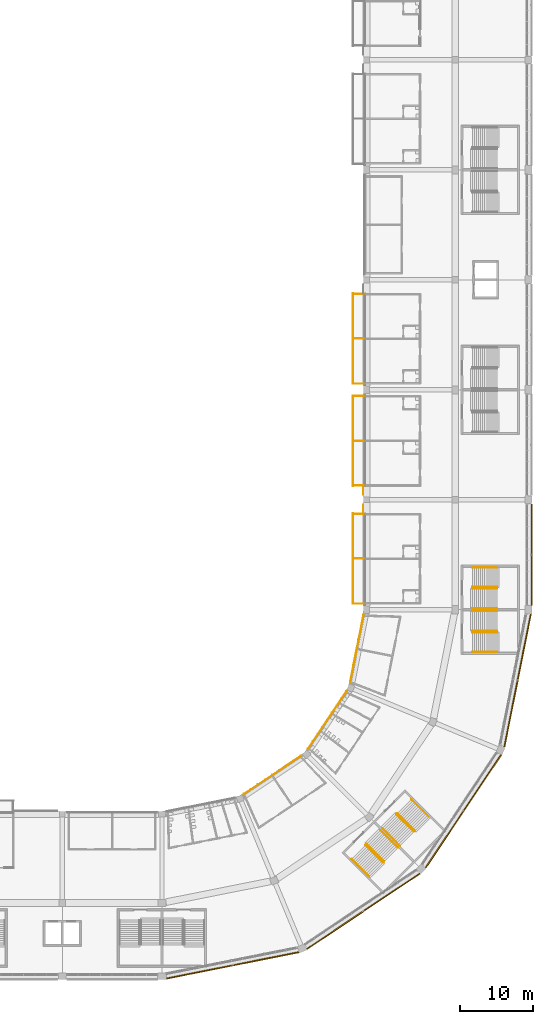
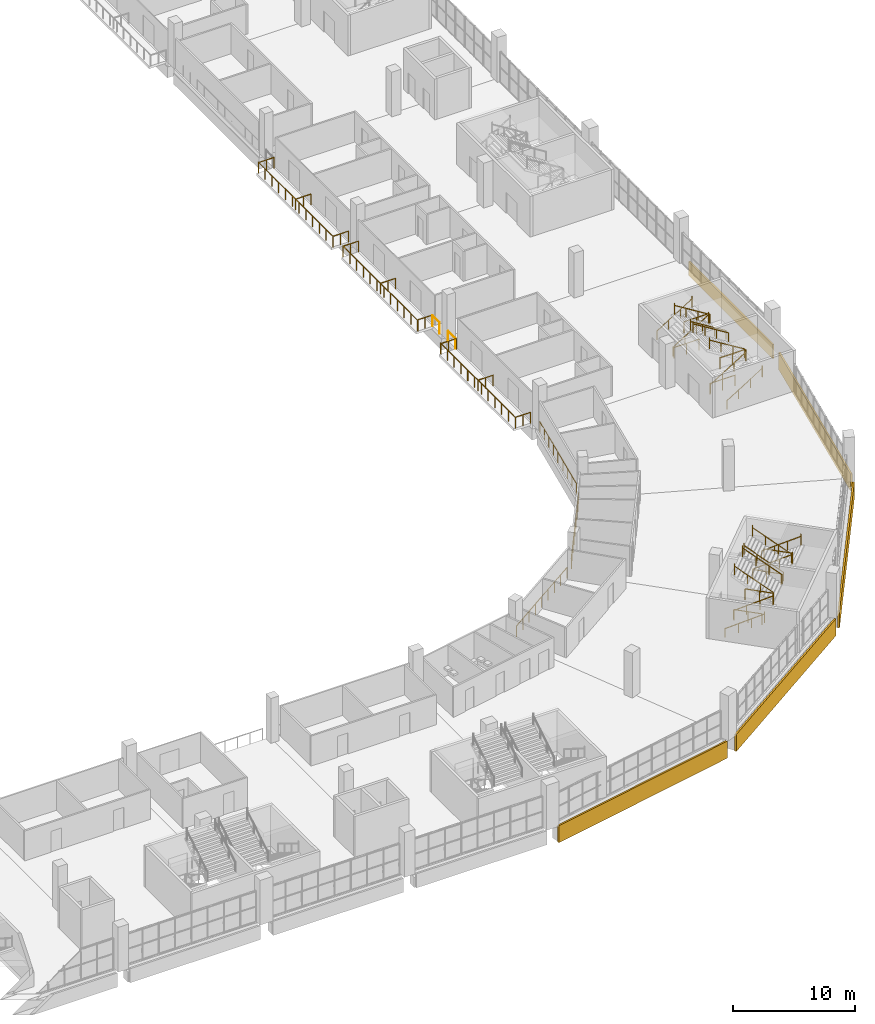
# One storey, part 187 of 199: 41 railings, 5 coverings.
"""IFC4 building model written with IfcOpenShell, lengths in metres."""

from ifc_helpers import new_model, si_unit, direction, frame, origin, origin_2d, place, context, subcontext, project, spatial, polyline, circle, outline, extrude, material, layer, layer_set, type_object, element, save


model = new_model("IFC4")

# Units and contexts
model_context = context("Model", 3, precision=1e-05, world=origin(), true_north=direction((0.0, 1.0)))
body_context = subcontext(model_context, "Body", "Model", "MODEL_VIEW")
ifc_project = project(units=[si_unit("LENGTHUNIT", "METRE"), si_unit("AREAUNIT", "SQUARE_METRE"), si_unit("VOLUMEUNIT", "CUBIC_METRE"), si_unit("PLANEANGLEUNIT", "RADIAN"), si_unit("MASSUNIT", "GRAM", prefix="KILO")], contexts=[model_context])

# Site, building, storey
site_placement = place(None, origin())
site = spatial("IfcSite", under=ifc_project, at=site_placement, CompositionType="ELEMENT")
building_placement = place(site_placement, origin())
building = spatial("IfcBuilding", under=site, at=building_placement, Name="Ogive Plaza Stadium", CompositionType="ELEMENT")
storey_placement = place(building_placement, frame((0.0, 0.0, 9.0)))
storey = spatial("IfcBuildingStorey", under=building, at=storey_placement, Name="L02", CompositionType="ELEMENT", Elevation=9.0)

# Railings
ifc_material_1 = material(Name="Steel ASTM A572 Grade 50", Category="steel")
railing_type_1 = type_object("IfcRailingType", Name="Guard 1100", PredefinedType="GUARDRAIL", material=ifc_material_1)
for number, where, name in (
    (1, (76.35009765625, -55.47509765625, 0.0), "Stair well guard ST08A L02"),
    (2, (77.31005859375, -55.47509765625, 2.25), "Stair well guard ST08A L02"),
    (3, (76.35009765625, -49.52490234375, 0.0), "Stair well guard ST08B L02"),
    (4, (77.31005859375, -49.52490234375, 2.25), "Stair well guard ST08B L02"),
):
    element("IfcRailing", number, at=place(storey_placement, frame(where)), inside=storey, type_object=railing_type_1, Name=name, PredefinedType="GUARDRAIL", context=body_context, shape_type="SweptSolid", body=[
        extrude(circle(Radius=0.02392578125, at=origin_2d()), frame((0.0, 0.0, 1.076171875), z_axis=(1.0, 0.0, 0.0), x_axis=(0.0, 1.0, 0.0)), (0.0, 0.0, 1.0), 2.39990234375),
        extrude(circle(Radius=0.02099609375, at=origin_2d()), origin(), (0.0, 0.0, 1.0), 1.052001953125),
        extrude(circle(Radius=0.02099609375, at=origin_2d()), frame((1.199951171875, 0.0, 0.0)), (0.0, 0.0, 1.0), 1.052001953125),
        extrude(circle(Radius=0.02099609375, at=origin_2d()), frame((2.39990234375, 0.0, 0.0)), (0.0, 0.0, 1.0), 1.052001953125),
    ])
for number, where, name in (
    (5, (61.84228515625, -84.549560546875, 0.0), "Stair well guard ST10A L02"),
    (6, (62.521240234375, -85.228515625, 2.25), "Stair well guard ST10A L02"),
    (7, (66.049560546875, -80.34228515625, 0.0), "Stair well guard ST10B L02"),
    (8, (66.728515625, -81.021240234375, 2.25), "Stair well guard ST10B L02"),
):
    element("IfcRailing", number, at=place(storey_placement, frame(where)), inside=storey, type_object=railing_type_1, Name=name, PredefinedType="GUARDRAIL", context=body_context, shape_type="SweptSolid", body=[
        extrude(circle(Radius=0.02392578125, at=origin_2d()), frame((0.0, 0.0, 1.076171875), z_axis=(0.707106781187, -0.707106781187, 0.0), x_axis=(0.707106781187, 0.707106781187, 0.0)), (0.0, 0.0, 1.0), 2.39990234375),
        extrude(circle(Radius=0.02099609375, at=origin_2d()), origin(), (0.0, 0.0, 1.0), 1.052001953125),
        extrude(circle(Radius=0.02099609375, at=origin_2d()), frame((0.8486328125, -0.8486328125, 0.0)), (0.0, 0.0, 1.0), 1.052001953125),
        extrude(circle(Radius=0.02099609375, at=origin_2d()), frame((1.697021484375, -1.697021484375, 0.0)), (0.0, 0.0, 1.0), 1.052001953125),
    ])
railing_1_placement = place(storey_placement, frame((61.513427734375, -53.1865234375, 0.0)))
element("IfcRailing", 9, at=railing_1_placement, inside=storey, type_object=railing_type_1, Name="Guard L02 B08", PredefinedType="GUARDRAIL", context=body_context, shape_type="SweptSolid", body=[
    extrude(circle(Radius=0.02392578125, at=origin_2d()), frame((0.0, 0.0, 1.076171875), z_axis=(-0.19508584817, -0.980786170296, 0.0), x_axis=(0.980786170296, -0.19508584817, 0.0)), (0.0, 0.0, 1.0), 9.388427734375),
    extrude(circle(Radius=0.02099609375, at=origin_2d()), origin(), (0.0, 0.0, 1.0), 1.052001953125),
    extrude(circle(Radius=0.02099609375, at=origin_2d()), frame((-0.22900390625, -1.15087890625, 0.0)), (0.0, 0.0, 1.0), 1.052001953125),
    extrude(circle(Radius=0.02099609375, at=origin_2d()), frame((-0.4580078125, -2.302001953125, 0.0)), (0.0, 0.0, 1.0), 1.052001953125),
    extrude(circle(Radius=0.02099609375, at=origin_2d()), frame((-0.686767578125, -3.453125, 0.0)), (0.0, 0.0, 1.0), 1.052001953125),
    extrude(circle(Radius=0.02099609375, at=origin_2d()), frame((-0.915771484375, -4.60400390625, 0.0)), (0.0, 0.0, 1.0), 1.052001953125),
    extrude(circle(Radius=0.02099609375, at=origin_2d()), frame((-1.144775390625, -5.7548828125, 0.0)), (0.0, 0.0, 1.0), 1.052001953125),
    extrude(circle(Radius=0.02099609375, at=origin_2d()), frame((-1.37353515625, -6.906005859375, 0.0)), (0.0, 0.0, 1.0), 1.052001953125),
    extrude(circle(Radius=0.02099609375, at=origin_2d()), frame((-1.6025390625, -8.05712890625, 0.0)), (0.0, 0.0, 1.0), 1.052001953125),
    extrude(circle(Radius=0.02099609375, at=origin_2d()), frame((-1.83154296875, -9.2080078125, 0.0)), (0.0, 0.0, 1.0), 1.052001953125),
])
railing_2_placement = place(storey_placement, frame((59.15625, -63.663330078125, 0.0)))
element("IfcRailing", 10, at=railing_2_placement, inside=storey, type_object=railing_type_1, Name="Guard L02 B09", PredefinedType="GUARDRAIL", context=body_context, shape_type="SweptSolid", body=[
    extrude(circle(Radius=0.02392578125, at=origin_2d()), frame((0.0, 0.0, 1.076171875), z_axis=(-0.555564052686, -0.831473741836, 0.0), x_axis=(0.831473741836, -0.555564052686, 0.0)), (0.0, 0.0, 1.0), 9.388427734375),
    extrude(circle(Radius=0.02099609375, at=origin_2d()), origin(), (0.0, 0.0, 1.0), 1.052001953125),
    extrude(circle(Radius=0.02099609375, at=origin_2d()), frame((-0.65185546875, -0.975830078125, 0.0)), (0.0, 0.0, 1.0), 1.052001953125),
    extrude(circle(Radius=0.02099609375, at=origin_2d()), frame((-1.303955078125, -1.95166015625, 0.0)), (0.0, 0.0, 1.0), 1.052001953125),
    extrude(circle(Radius=0.02099609375, at=origin_2d()), frame((-1.9560546875, -2.92724609375, 0.0)), (0.0, 0.0, 1.0), 1.052001953125),
    extrude(circle(Radius=0.02099609375, at=origin_2d()), frame((-2.60791015625, -3.903076171875, 0.0)), (0.0, 0.0, 1.0), 1.052001953125),
    extrude(circle(Radius=0.02099609375, at=origin_2d()), frame((-3.259765625, -4.87890625, 0.0)), (0.0, 0.0, 1.0), 1.052001953125),
    extrude(circle(Radius=0.02099609375, at=origin_2d()), frame((-3.911865234375, -5.8544921875, 0.0)), (0.0, 0.0, 1.0), 1.052001953125),
    extrude(circle(Radius=0.02099609375, at=origin_2d()), frame((-4.56396484375, -6.830322265625, 0.0)), (0.0, 0.0, 1.0), 1.052001953125),
    extrude(circle(Radius=0.02099609375, at=origin_2d()), frame((-5.2158203125, -7.80615234375, 0.0)), (0.0, 0.0, 1.0), 1.052001953125),
])
railing_3_placement = place(storey_placement, frame((52.969482421875, -72.4404296875, 0.0)))
element("IfcRailing", 11, at=railing_3_placement, inside=storey, type_object=railing_type_1, Name="Guard L02 B10", PredefinedType="GUARDRAIL", context=body_context, shape_type="SweptSolid", body=[
    extrude(circle(Radius=0.02392578125, at=origin_2d()), frame((0.0, 0.0, 1.076171875), z_axis=(-0.831473741836, -0.555564052686, 0.0), x_axis=(0.555564052686, -0.831473741836, 0.0)), (0.0, 0.0, 1.0), 9.388427734375),
    extrude(circle(Radius=0.02099609375, at=origin_2d()), origin(), (0.0, 0.0, 1.0), 1.052001953125),
    extrude(circle(Radius=0.02099609375, at=origin_2d()), frame((-0.975830078125, -0.65185546875, 0.0)), (0.0, 0.0, 1.0), 1.052001953125),
    extrude(circle(Radius=0.02099609375, at=origin_2d()), frame((-1.95166015625, -1.303955078125, 0.0)), (0.0, 0.0, 1.0), 1.052001953125),
    extrude(circle(Radius=0.02099609375, at=origin_2d()), frame((-2.92724609375, -1.9560546875, 0.0)), (0.0, 0.0, 1.0), 1.052001953125),
    extrude(circle(Radius=0.02099609375, at=origin_2d()), frame((-3.903076171875, -2.60791015625, 0.0)), (0.0, 0.0, 1.0), 1.052001953125),
    extrude(circle(Radius=0.02099609375, at=origin_2d()), frame((-4.87890625, -3.259765625, 0.0)), (0.0, 0.0, 1.0), 1.052001953125),
    extrude(circle(Radius=0.02099609375, at=origin_2d()), frame((-5.8544921875, -3.911865234375, 0.0)), (0.0, 0.0, 1.0), 1.052001953125),
    extrude(circle(Radius=0.02099609375, at=origin_2d()), frame((-6.830322265625, -4.56396484375, 0.0)), (0.0, 0.0, 1.0), 1.052001953125),
    extrude(circle(Radius=0.02099609375, at=origin_2d()), frame((-7.80615234375, -5.2158203125, 0.0)), (0.0, 0.0, 1.0), 1.052001953125),
])
railing_4_placement = place(storey_placement, frame((60.050048828125, -21.675048828125, 0.0)))
element("IfcRailing", 12, at=railing_4_placement, inside=storey, type_object=railing_type_1, Name="Terrace guard B05", PredefinedType="GUARDRAIL", context=body_context, shape_type="SweptSolid", body=[
    extrude(circle(Radius=0.02392578125, at=origin_2d()), frame((0.0, 0.0, 1.076171875), z_axis=(0.0, 1.0, 0.0), x_axis=(-1.0, 0.0, 0.0)), (0.0, 0.0, 1.0), 12.300048828125),
    extrude(circle(Radius=0.02099609375, at=origin_2d()), origin(), (0.0, 0.0, 1.0), 1.052001953125),
    extrude(circle(Radius=0.02099609375, at=origin_2d()), frame((0.0, 1.1181640625, 0.0)), (0.0, 0.0, 1.0), 1.052001953125),
    extrude(circle(Radius=0.02099609375, at=origin_2d()), frame((0.0, 2.236328125, 0.0)), (0.0, 0.0, 1.0), 1.052001953125),
    extrude(circle(Radius=0.02099609375, at=origin_2d()), frame((0.0, 3.3544921875, 0.0)), (0.0, 0.0, 1.0), 1.052001953125),
    extrude(circle(Radius=0.02099609375, at=origin_2d()), frame((0.0, 4.47265625, 0.0)), (0.0, 0.0, 1.0), 1.052001953125),
    extrude(circle(Radius=0.02099609375, at=origin_2d()), frame((0.0, 5.5908203125, 0.0)), (0.0, 0.0, 1.0), 1.052001953125),
    extrude(circle(Radius=0.02099609375, at=origin_2d()), frame((0.0, 6.709228515625, 0.0)), (0.0, 0.0, 1.0), 1.052001953125),
    extrude(circle(Radius=0.02099609375, at=origin_2d()), frame((0.0, 7.827392578125, 0.0)), (0.0, 0.0, 1.0), 1.052001953125),
    extrude(circle(Radius=0.02099609375, at=origin_2d()), frame((0.0, 8.945556640625, 0.0)), (0.0, 0.0, 1.0), 1.052001953125),
    extrude(circle(Radius=0.02099609375, at=origin_2d()), frame((0.0, 10.063720703125, 0.0)), (0.0, 0.0, 1.0), 1.052001953125),
    extrude(circle(Radius=0.02099609375, at=origin_2d()), frame((0.0, 11.181884765625, 0.0)), (0.0, 0.0, 1.0), 1.052001953125),
    extrude(circle(Radius=0.02099609375, at=origin_2d()), frame((0.0, 12.300048828125, 0.0)), (0.0, 0.0, 1.0), 1.052001953125),
])
for number, where, name in (
    (13, (60.050048828125, -21.675048828125, 0.0), "Terrace screen B05"),
    (14, (60.050048828125, -15.52490234375, 0.0), "Terrace screen B05"),
    (15, (60.050048828125, -9.449951171875, 0.0), "Terrace screen B05"),
):
    element("IfcRailing", number, at=place(storey_placement, frame(where)), inside=storey, type_object=railing_type_1, Name=name, PredefinedType="GUARDRAIL", context=body_context, shape_type="SweptSolid", body=[
        extrude(circle(Radius=0.02392578125, at=origin_2d()), frame((0.0, 0.0, 1.076171875), z_axis=(1.0, 0.0, 0.0), x_axis=(0.0, 1.0, 0.0)), (0.0, 0.0, 1.0), 1.449951171875),
        extrude(circle(Radius=0.02099609375, at=origin_2d()), origin(), (0.0, 0.0, 1.0), 1.052001953125),
        extrude(circle(Radius=0.02099609375, at=origin_2d()), frame((0.72509765625, 0.0, 0.0)), (0.0, 0.0, 1.0), 1.052001953125),
        extrude(circle(Radius=0.02099609375, at=origin_2d()), frame((1.449951171875, 0.0, 0.0)), (0.0, 0.0, 1.0), 1.052001953125),
    ])
railing_5_placement = place(storey_placement, frame((60.050048828125, -23.324951171875, 0.0)))
element("IfcRailing", 16, at=railing_5_placement, inside=storey, type_object=railing_type_1, Name="Terrace guard B06", PredefinedType="GUARDRAIL", context=body_context, shape_type="SweptSolid", body=[
    extrude(circle(Radius=0.02392578125, at=origin_2d()), frame((0.0, 0.0, 1.076171875), z_axis=(0.0, -1.0, 0.0), x_axis=(1.0, 0.0, 0.0)), (0.0, 0.0, 1.0), 12.300048828125),
    extrude(circle(Radius=0.02099609375, at=origin_2d()), origin(), (0.0, 0.0, 1.0), 1.052001953125),
    extrude(circle(Radius=0.02099609375, at=origin_2d()), frame((0.0, -1.1181640625, 0.0)), (0.0, 0.0, 1.0), 1.052001953125),
    extrude(circle(Radius=0.02099609375, at=origin_2d()), frame((0.0, -2.236328125, 0.0)), (0.0, 0.0, 1.0), 1.052001953125),
    extrude(circle(Radius=0.02099609375, at=origin_2d()), frame((0.0, -3.3544921875, 0.0)), (0.0, 0.0, 1.0), 1.052001953125),
    extrude(circle(Radius=0.02099609375, at=origin_2d()), frame((0.0, -4.47265625, 0.0)), (0.0, 0.0, 1.0), 1.052001953125),
    extrude(circle(Radius=0.02099609375, at=origin_2d()), frame((0.0, -5.5908203125, 0.0)), (0.0, 0.0, 1.0), 1.052001953125),
    extrude(circle(Radius=0.02099609375, at=origin_2d()), frame((0.0, -6.709228515625, 0.0)), (0.0, 0.0, 1.0), 1.052001953125),
    extrude(circle(Radius=0.02099609375, at=origin_2d()), frame((0.0, -7.827392578125, 0.0)), (0.0, 0.0, 1.0), 1.052001953125),
    extrude(circle(Radius=0.02099609375, at=origin_2d()), frame((0.0, -8.945556640625, 0.0)), (0.0, 0.0, 1.0), 1.052001953125),
    extrude(circle(Radius=0.02099609375, at=origin_2d()), frame((0.0, -10.063720703125, 0.0)), (0.0, 0.0, 1.0), 1.052001953125),
    extrude(circle(Radius=0.02099609375, at=origin_2d()), frame((0.0, -11.181884765625, 0.0)), (0.0, 0.0, 1.0), 1.052001953125),
    extrude(circle(Radius=0.02099609375, at=origin_2d()), frame((0.0, -12.300048828125, 0.0)), (0.0, 0.0, 1.0), 1.052001953125),
])
railing_6_placement = place(storey_placement, frame((61.449951171875, -35.625, 0.0)))
element("IfcRailing", 17, at=railing_6_placement, inside=storey, type_object=railing_type_1, Name="Floor edge guard B06", PredefinedType="GUARDRAIL", context=body_context, shape_type="SweptSolid", body=[
    extrude(circle(Radius=0.02392578125, at=origin_2d()), frame((0.0, 0.0, 1.076171875), z_axis=(0.0, -1.0, 0.0), x_axis=(1.0, 0.0, 0.0)), (0.0, 0.0, 1.0), 1.175048828125),
    extrude(circle(Radius=0.02099609375, at=origin_2d()), origin(), (0.0, 0.0, 1.0), 1.052001953125),
    extrude(circle(Radius=0.02099609375, at=origin_2d()), frame((0.0, -1.175048828125, 0.0)), (0.0, 0.0, 1.0), 1.052001953125),
])
for number, where, name in (
    (18, (60.050048828125, -23.324951171875, 0.0), "Terrace screen B06"),
    (19, (60.050048828125, -29.47509765625, 0.0), "Terrace screen B06"),
    (20, (60.050048828125, -35.550048828125, 0.0), "Terrace screen B06"),
):
    element("IfcRailing", number, at=place(storey_placement, frame(where)), inside=storey, type_object=railing_type_1, Name=name, PredefinedType="GUARDRAIL", context=body_context, shape_type="SweptSolid", body=[
        extrude(circle(Radius=0.02392578125, at=origin_2d()), frame((0.0, 0.0, 1.076171875), z_axis=(1.0, 0.0, 0.0), x_axis=(0.0, 1.0, 0.0)), (0.0, 0.0, 1.0), 1.449951171875),
        extrude(circle(Radius=0.02099609375, at=origin_2d()), origin(), (0.0, 0.0, 1.0), 1.052001953125),
        extrude(circle(Radius=0.02099609375, at=origin_2d()), frame((0.72509765625, 0.0, 0.0)), (0.0, 0.0, 1.0), 1.052001953125),
        extrude(circle(Radius=0.02099609375, at=origin_2d()), frame((1.449951171875, 0.0, 0.0)), (0.0, 0.0, 1.0), 1.052001953125),
    ])
railing_7_placement = place(storey_placement, frame((60.050048828125, -51.675048828125, 0.0)))
element("IfcRailing", 21, at=railing_7_placement, inside=storey, type_object=railing_type_1, Name="Terrace guard B07", PredefinedType="GUARDRAIL", context=body_context, shape_type="SweptSolid", body=[
    extrude(circle(Radius=0.02392578125, at=origin_2d()), frame((0.0, 0.0, 1.076171875), z_axis=(0.0, 1.0, 0.0), x_axis=(-1.0, 0.0, 0.0)), (0.0, 0.0, 1.0), 12.300048828125),
    extrude(circle(Radius=0.02099609375, at=origin_2d()), origin(), (0.0, 0.0, 1.0), 1.052001953125),
    extrude(circle(Radius=0.02099609375, at=origin_2d()), frame((0.0, 1.1181640625, 0.0)), (0.0, 0.0, 1.0), 1.052001953125),
    extrude(circle(Radius=0.02099609375, at=origin_2d()), frame((0.0, 2.236328125, 0.0)), (0.0, 0.0, 1.0), 1.052001953125),
    extrude(circle(Radius=0.02099609375, at=origin_2d()), frame((0.0, 3.3544921875, 0.0)), (0.0, 0.0, 1.0), 1.052001953125),
    extrude(circle(Radius=0.02099609375, at=origin_2d()), frame((0.0, 4.47265625, 0.0)), (0.0, 0.0, 1.0), 1.052001953125),
    extrude(circle(Radius=0.02099609375, at=origin_2d()), frame((0.0, 5.5908203125, 0.0)), (0.0, 0.0, 1.0), 1.052001953125),
    extrude(circle(Radius=0.02099609375, at=origin_2d()), frame((0.0, 6.709228515625, 0.0)), (0.0, 0.0, 1.0), 1.052001953125),
    extrude(circle(Radius=0.02099609375, at=origin_2d()), frame((0.0, 7.827392578125, 0.0)), (0.0, 0.0, 1.0), 1.052001953125),
    extrude(circle(Radius=0.02099609375, at=origin_2d()), frame((0.0, 8.945556640625, 0.0)), (0.0, 0.0, 1.0), 1.052001953125),
    extrude(circle(Radius=0.02099609375, at=origin_2d()), frame((0.0, 10.063720703125, 0.0)), (0.0, 0.0, 1.0), 1.052001953125),
    extrude(circle(Radius=0.02099609375, at=origin_2d()), frame((0.0, 11.181884765625, 0.0)), (0.0, 0.0, 1.0), 1.052001953125),
    extrude(circle(Radius=0.02099609375, at=origin_2d()), frame((0.0, 12.300048828125, 0.0)), (0.0, 0.0, 1.0), 1.052001953125),
])
railing_8_placement = place(storey_placement, frame((61.449951171875, -39.375, 0.0)))
element("IfcRailing", 22, at=railing_8_placement, inside=storey, type_object=railing_type_1, Name="Floor edge guard B07", PredefinedType="GUARDRAIL", context=body_context, shape_type="SweptSolid", body=[
    extrude(circle(Radius=0.02392578125, at=origin_2d()), frame((0.0, 0.0, 1.076171875), z_axis=(0.0, 1.0, 0.0), x_axis=(-1.0, 0.0, 0.0)), (0.0, 0.0, 1.0), 1.175048828125),
    extrude(circle(Radius=0.02099609375, at=origin_2d()), origin(), (0.0, 0.0, 1.0), 1.052001953125),
    extrude(circle(Radius=0.02099609375, at=origin_2d()), frame((0.0, 1.175048828125, 0.0)), (0.0, 0.0, 1.0), 1.052001953125),
])
for number, where, name in (
    (23, (60.050048828125, -51.675048828125, 0.0), "Terrace screen B07"),
    (24, (60.050048828125, -45.52490234375, 0.0), "Terrace screen B07"),
    (25, (60.050048828125, -39.449951171875, 0.0), "Terrace screen B07"),
):
    element("IfcRailing", number, at=place(storey_placement, frame(where)), inside=storey, type_object=railing_type_1, Name=name, PredefinedType="GUARDRAIL", context=body_context, shape_type="SweptSolid", body=[
        extrude(circle(Radius=0.02392578125, at=origin_2d()), frame((0.0, 0.0, 1.076171875), z_axis=(1.0, 0.0, 0.0), x_axis=(0.0, 1.0, 0.0)), (0.0, 0.0, 1.0), 1.449951171875),
        extrude(circle(Radius=0.02099609375, at=origin_2d()), origin(), (0.0, 0.0, 1.0), 1.052001953125),
        extrude(circle(Radius=0.02099609375, at=origin_2d()), frame((0.72509765625, 0.0, 0.0)), (0.0, 0.0, 1.0), 1.052001953125),
        extrude(circle(Radius=0.02099609375, at=origin_2d()), frame((1.449951171875, 0.0, 0.0)), (0.0, 0.0, 1.0), 1.052001953125),
    ])
ifc_material_2 = material(Name="Steel ASTM A572 Grade 50", Category="steel")
railing_type_2 = type_object("IfcRailingType", Name="Handrail 900", PredefinedType="HANDRAIL", material=ifc_material_2)
for number, where, name in (
    (26, (76.35009765625, -58.264892578125, 0.173095703125), "Handrail ST08A L02"),
    (27, (76.35009765625, -55.5849609375, 0.173095703125), "Handrail ST08A L02"),
):
    element("IfcRailing", number, at=place(storey_placement, frame(where)), inside=storey, type_object=railing_type_2, Name=name, PredefinedType="HANDRAIL", context=body_context, shape_type="SweptSolid", body=[
        extrude(circle(Radius=0.02392578125, at=origin_2d()), frame((0.0, 0.0, 0.8759765625), z_axis=(0.850606129759, 0.0, 0.525803396734), x_axis=(0.0, 1.0, 0.0)), (0.0, 0.0, 1.0), 3.949951171875),
        extrude(circle(Radius=0.02099609375, at=origin_2d()), origin(), (0.0, 0.0, 1.0), 0.851806640625),
        extrude(circle(Radius=0.02099609375, at=origin_2d()), frame((1.119873046875, 0.0, 0.6923828125)), (0.0, 0.0, 1.0), 0.851806640625),
        extrude(circle(Radius=0.02099609375, at=origin_2d()), frame((2.239990234375, 0.0, 1.384521484375)), (0.0, 0.0, 1.0), 0.851806640625),
        extrude(circle(Radius=0.02099609375, at=origin_2d()), frame((3.35986328125, 0.0, 2.076904296875)), (0.0, 0.0, 1.0), 1.10009765625),
    ])
for number, where, name in (
    (28, (79.7099609375, -55.364990234375, 2.423095703125), "Handrail ST08A L02"),
    (29, (79.7099609375, -52.68505859375, 2.423095703125), "Handrail ST08A L02"),
):
    element("IfcRailing", number, at=place(storey_placement, frame(where)), inside=storey, type_object=railing_type_2, Name=name, PredefinedType="HANDRAIL", context=body_context, shape_type="SweptSolid", body=[
        extrude(circle(Radius=0.02392578125, at=origin_2d()), frame((0.0, 0.0, 0.8759765625), z_axis=(-0.850606129759, 0.0, 0.525803396734), x_axis=(0.0, -1.0, 0.0)), (0.0, 0.0, 1.0), 3.949951171875),
        extrude(circle(Radius=0.02099609375, at=origin_2d()), origin(), (0.0, 0.0, 1.0), 0.851806640625),
        extrude(circle(Radius=0.02099609375, at=origin_2d()), frame((-1.119873046875, 0.0, 0.6923828125)), (0.0, 0.0, 1.0), 0.851806640625),
        extrude(circle(Radius=0.02099609375, at=origin_2d()), frame((-2.239990234375, 0.0, 1.384521484375)), (0.0, 0.0, 1.0), 0.851806640625),
        extrude(circle(Radius=0.02099609375, at=origin_2d()), frame((-3.35986328125, 0.0, 2.076904296875)), (0.0, 0.0, 1.0), 1.10009765625),
    ])
for number, where, name in (
    (30, (76.35009765625, -49.4150390625, 0.173095703125), "Handrail ST08B L02"),
    (31, (76.35009765625, -46.735107421875, 0.173095703125), "Handrail ST08B L02"),
):
    element("IfcRailing", number, at=place(storey_placement, frame(where)), inside=storey, type_object=railing_type_2, Name=name, PredefinedType="HANDRAIL", context=body_context, shape_type="SweptSolid", body=[
        extrude(circle(Radius=0.02392578125, at=origin_2d()), frame((0.0, 0.0, 0.8759765625), z_axis=(0.850606129759, 0.0, 0.525803396734), x_axis=(0.0, 1.0, 0.0)), (0.0, 0.0, 1.0), 3.949951171875),
        extrude(circle(Radius=0.02099609375, at=origin_2d()), origin(), (0.0, 0.0, 1.0), 0.851806640625),
        extrude(circle(Radius=0.02099609375, at=origin_2d()), frame((1.119873046875, 0.0, 0.6923828125)), (0.0, 0.0, 1.0), 0.851806640625),
        extrude(circle(Radius=0.02099609375, at=origin_2d()), frame((2.239990234375, 0.0, 1.384521484375)), (0.0, 0.0, 1.0), 0.851806640625),
        extrude(circle(Radius=0.02099609375, at=origin_2d()), frame((3.35986328125, 0.0, 2.076904296875)), (0.0, 0.0, 1.0), 1.10009765625),
    ])
for number, where, name in (
    (32, (79.7099609375, -52.31494140625, 2.423095703125), "Handrail ST08B L02"),
    (33, (79.7099609375, -49.635009765625, 2.423095703125), "Handrail ST08B L02"),
):
    element("IfcRailing", number, at=place(storey_placement, frame(where)), inside=storey, type_object=railing_type_2, Name=name, PredefinedType="HANDRAIL", context=body_context, shape_type="SweptSolid", body=[
        extrude(circle(Radius=0.02392578125, at=origin_2d()), frame((0.0, 0.0, 0.8759765625), z_axis=(-0.850606129759, 0.0, 0.525803396734), x_axis=(0.0, -1.0, 0.0)), (0.0, 0.0, 1.0), 3.949951171875),
        extrude(circle(Radius=0.02099609375, at=origin_2d()), origin(), (0.0, 0.0, 1.0), 0.851806640625),
        extrude(circle(Radius=0.02099609375, at=origin_2d()), frame((-1.119873046875, 0.0, 0.6923828125)), (0.0, 0.0, 1.0), 0.851806640625),
        extrude(circle(Radius=0.02099609375, at=origin_2d()), frame((-2.239990234375, 0.0, 1.384521484375)), (0.0, 0.0, 1.0), 0.851806640625),
        extrude(circle(Radius=0.02099609375, at=origin_2d()), frame((-3.35986328125, 0.0, 2.076904296875)), (0.0, 0.0, 1.0), 1.10009765625),
    ])
railing_9_placement = place(storey_placement, frame((59.869384765625, -86.5224609375, 0.173095703125)))
element("IfcRailing", 34, at=railing_9_placement, inside=storey, type_object=railing_type_2, Name="Handrail ST10A L02", PredefinedType="HANDRAIL", context=body_context, shape_type="SweptSolid", body=[
    extrude(circle(Radius=0.02392578125, at=origin_2d()), frame((0.0, 0.0, 0.8759765625), z_axis=(0.601482971545, -0.601482971545, 0.525772260474), x_axis=(0.707106781187, 0.707106781187, 0.0)), (0.0, 0.0, 1.0), 3.9501953125),
    extrude(circle(Radius=0.02099609375, at=origin_2d()), origin(), (0.0, 0.0, 1.0), 0.851806640625),
    extrude(circle(Radius=0.02099609375, at=origin_2d()), frame((0.7919921875, -0.7919921875, 0.6923828125)), (0.0, 0.0, 1.0), 0.851806640625),
    extrude(circle(Radius=0.02099609375, at=origin_2d()), frame((1.583984375, -1.583984375, 1.384521484375)), (0.0, 0.0, 1.0), 0.851806640625),
    extrude(circle(Radius=0.02099609375, at=origin_2d()), frame((2.3759765625, -2.3759765625, 2.076904296875)), (0.0, 0.0, 1.0), 1.10009765625),
])
railing_10_placement = place(storey_placement, frame((61.7646484375, -84.62744140625, 0.173095703125)))
element("IfcRailing", 35, at=railing_10_placement, inside=storey, type_object=railing_type_2, Name="Handrail ST10A L02", PredefinedType="HANDRAIL", context=body_context, shape_type="SweptSolid", body=[
    extrude(circle(Radius=0.02392578125, at=origin_2d()), frame((0.0, 0.0, 0.8759765625), z_axis=(0.601465884576, -0.601465884576, 0.525811353416), x_axis=(0.707106781187, 0.707106781187, 0.0)), (0.0, 0.0, 1.0), 3.949951171875),
    extrude(circle(Radius=0.02099609375, at=origin_2d()), origin(), (0.0, 0.0, 1.0), 0.851806640625),
    extrude(circle(Radius=0.02099609375, at=origin_2d()), frame((0.7919921875, -0.7919921875, 0.6923828125)), (0.0, 0.0, 1.0), 0.851806640625),
    extrude(circle(Radius=0.02099609375, at=origin_2d()), frame((1.583740234375, -1.583740234375, 1.384521484375)), (0.0, 0.0, 1.0), 0.851806640625),
    extrude(circle(Radius=0.02099609375, at=origin_2d()), frame((2.375732421875, -2.375732421875, 2.076904296875)), (0.0, 0.0, 1.0), 1.10009765625),
])
for number, where, name in (
    (36, (64.2958984375, -86.84765625, 2.423095703125), "Handrail ST10A L02"),
    (37, (66.19091796875, -84.95263671875, 2.423095703125), "Handrail ST10A L02"),
):
    element("IfcRailing", number, at=place(storey_placement, frame(where)), inside=storey, type_object=railing_type_2, Name=name, PredefinedType="HANDRAIL", context=body_context, shape_type="SweptSolid", body=[
        extrude(circle(Radius=0.02392578125, at=origin_2d()), frame((0.0, 0.0, 0.8759765625), z_axis=(-0.601465884576, 0.601465884576, 0.525811353416), x_axis=(-0.707106781187, -0.707106781187, 0.0)), (0.0, 0.0, 1.0), 3.949951171875),
        extrude(circle(Radius=0.02099609375, at=origin_2d()), origin(), (0.0, 0.0, 1.0), 0.851806640625),
        extrude(circle(Radius=0.02099609375, at=origin_2d()), frame((-0.7919921875, 0.7919921875, 0.6923828125)), (0.0, 0.0, 1.0), 0.851806640625),
        extrude(circle(Radius=0.02099609375, at=origin_2d()), frame((-1.583740234375, 1.583740234375, 1.384521484375)), (0.0, 0.0, 1.0), 0.851806640625),
        extrude(circle(Radius=0.02099609375, at=origin_2d()), frame((-2.375732421875, 2.375732421875, 2.076904296875)), (0.0, 0.0, 1.0), 1.10009765625),
    ])
railing_11_placement = place(storey_placement, frame((66.12744140625, -80.2646484375, 0.173095703125)))
element("IfcRailing", 38, at=railing_11_placement, inside=storey, type_object=railing_type_2, Name="Handrail ST10B L02", PredefinedType="HANDRAIL", context=body_context, shape_type="SweptSolid", body=[
    extrude(circle(Radius=0.02392578125, at=origin_2d()), frame((0.0, 0.0, 0.8759765625), z_axis=(0.601465884576, -0.601465884576, 0.525811353416), x_axis=(0.707106781187, 0.707106781187, 0.0)), (0.0, 0.0, 1.0), 3.949951171875),
    extrude(circle(Radius=0.02099609375, at=origin_2d()), origin(), (0.0, 0.0, 1.0), 0.851806640625),
    extrude(circle(Radius=0.02099609375, at=origin_2d()), frame((0.7919921875, -0.7919921875, 0.6923828125)), (0.0, 0.0, 1.0), 0.851806640625),
    extrude(circle(Radius=0.02099609375, at=origin_2d()), frame((1.583740234375, -1.583740234375, 1.384521484375)), (0.0, 0.0, 1.0), 0.851806640625),
    extrude(circle(Radius=0.02099609375, at=origin_2d()), frame((2.375732421875, -2.375732421875, 2.076904296875)), (0.0, 0.0, 1.0), 1.10009765625),
])
railing_12_placement = place(storey_placement, frame((68.0224609375, -78.369384765625, 0.173095703125)))
element("IfcRailing", 39, at=railing_12_placement, inside=storey, type_object=railing_type_2, Name="Handrail ST10B L02", PredefinedType="HANDRAIL", context=body_context, shape_type="SweptSolid", body=[
    extrude(circle(Radius=0.02392578125, at=origin_2d()), frame((0.0, 0.0, 0.8759765625), z_axis=(0.601482971545, -0.601482971545, 0.525772260474), x_axis=(0.707106781187, 0.707106781187, 0.0)), (0.0, 0.0, 1.0), 3.9501953125),
    extrude(circle(Radius=0.02099609375, at=origin_2d()), origin(), (0.0, 0.0, 1.0), 0.851806640625),
    extrude(circle(Radius=0.02099609375, at=origin_2d()), frame((0.7919921875, -0.7919921875, 0.6923828125)), (0.0, 0.0, 1.0), 0.851806640625),
    extrude(circle(Radius=0.02099609375, at=origin_2d()), frame((1.583984375, -1.583984375, 1.384521484375)), (0.0, 0.0, 1.0), 0.851806640625),
    extrude(circle(Radius=0.02099609375, at=origin_2d()), frame((2.3759765625, -2.3759765625, 2.076904296875)), (0.0, 0.0, 1.0), 1.10009765625),
])
for number, where, name in (
    (40, (66.45263671875, -84.69091796875, 2.423095703125), "Handrail ST10B L02"),
    (41, (68.34765625, -82.7958984375, 2.423095703125), "Handrail ST10B L02"),
):
    element("IfcRailing", number, at=place(storey_placement, frame(where)), inside=storey, type_object=railing_type_2, Name=name, PredefinedType="HANDRAIL", context=body_context, shape_type="SweptSolid", body=[
        extrude(circle(Radius=0.02392578125, at=origin_2d()), frame((0.0, 0.0, 0.8759765625), z_axis=(-0.601465884576, 0.601465884576, 0.525811353416), x_axis=(-0.707106781187, -0.707106781187, 0.0)), (0.0, 0.0, 1.0), 3.949951171875),
        extrude(circle(Radius=0.02099609375, at=origin_2d()), origin(), (0.0, 0.0, 1.0), 0.851806640625),
        extrude(circle(Radius=0.02099609375, at=origin_2d()), frame((-0.7919921875, 0.7919921875, 0.6923828125)), (0.0, 0.0, 1.0), 0.851806640625),
        extrude(circle(Radius=0.02099609375, at=origin_2d()), frame((-1.583740234375, 1.583740234375, 1.384521484375)), (0.0, 0.0, 1.0), 0.851806640625),
        extrude(circle(Radius=0.02099609375, at=origin_2d()), frame((-2.375732421875, 2.375732421875, 2.076904296875)), (0.0, 0.0, 1.0), 1.10009765625),
    ])

# Coverings
ifc_material_3 = material(Name="Cast stone (reconstituted limestone)", Category="masonry")
ifc_layer = layer(ifc_material_3, 0.159912109375)
ifc_layer_set = layer_set([ifc_layer], Name="Precast spandrel cladding 160")
covering_type = type_object("IfcCoveringType", Name="Precast spandrel cladding 160", PredefinedType="CLADDING", material=ifc_layer_set)
covering_1_placement = place(storey_placement, frame((0.0, 0.0, -1.409912109375)))
element("IfcCovering", 42, at=covering_1_placement, inside=storey, type_object=covering_type, Name="SPANDREL CLADDING B07 L02", PredefinedType="CLADDING", context=body_context, shape_type="SweptSolid", body=[
    extrude(outline(polyline([(84.35009765625, -38.10009765625), (84.35009765625, -51.89990234375), (84.510009765625, -51.89990234375), (84.510009765625, -38.10009765625), (84.35009765625, -38.10009765625)])), origin(), (0.0, 0.0, 1.0), 1.409912109375),
])
covering_2_placement = place(storey_placement, frame((0.0, 0.0, -1.7099609375)))
element("IfcCovering", 43, at=covering_2_placement, inside=storey, type_object=covering_type, Name="SPANDREL CLADDING B08 L02", PredefinedType="CLADDING", context=body_context, shape_type="SweptSolid", body=[
    extrude(outline(polyline([(84.237548828125, -53.10009765625), (80.64306640625, -71.170654296875), (80.800048828125, -71.201904296875), (84.39453125, -53.131103515625), (84.237548828125, -53.10009765625)])), origin(), (0.0, 0.0, 1.0), 1.7099609375),
])
covering_3_placement = place(storey_placement, frame((0.0, 0.0, -1.7099609375)))
element("IfcCovering", 44, at=covering_3_placement, inside=storey, type_object=covering_type, Name="SPANDREL CLADDING B09 L02", PredefinedType="CLADDING", context=body_context, shape_type="SweptSolid", body=[
    extrude(outline(polyline([(80.212158203125, -72.237060546875), (69.919189453125, -87.641357421875), (70.05224609375, -87.730224609375), (80.34521484375, -72.325927734375), (80.212158203125, -72.237060546875)])), origin(), (0.0, 0.0, 1.0), 1.7099609375),
])
covering_4_placement = place(storey_placement, frame((0.0, 0.0, -1.7099609375)))
element("IfcCovering", 45, at=covering_4_placement, inside=storey, type_object=covering_type, Name="SPANDREL CLADDING B10 L02", PredefinedType="CLADDING", context=body_context, shape_type="SweptSolid", body=[
    extrude(outline(polyline([(69.141357421875, -88.419189453125), (53.737060546875, -98.712158203125), (53.825927734375, -98.84521484375), (69.230224609375, -88.55224609375), (69.141357421875, -88.419189453125)])), origin(), (0.0, 0.0, 1.0), 1.7099609375),
])
covering_5_placement = place(storey_placement, frame((0.0, 0.0, -1.7099609375)))
element("IfcCovering", 46, at=covering_5_placement, inside=storey, type_object=covering_type, Name="SPANDREL CLADDING B11 L02", PredefinedType="CLADDING", context=body_context, shape_type="SweptSolid", body=[
    extrude(outline(polyline([(52.670654296875, -99.14306640625), (34.60009765625, -102.737548828125), (34.631103515625, -102.89453125), (52.701904296875, -99.300048828125), (52.670654296875, -99.14306640625)])), origin(), (0.0, 0.0, 1.0), 1.7099609375),
])

save(model, "model.ifc")
